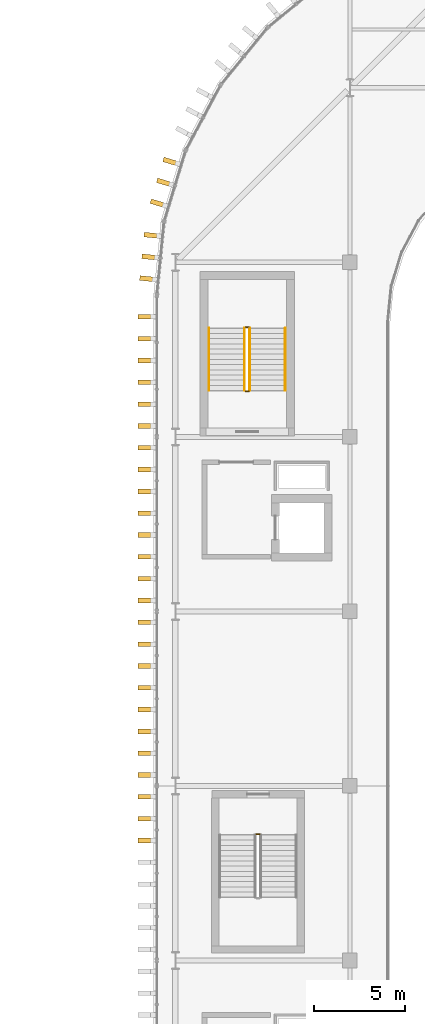
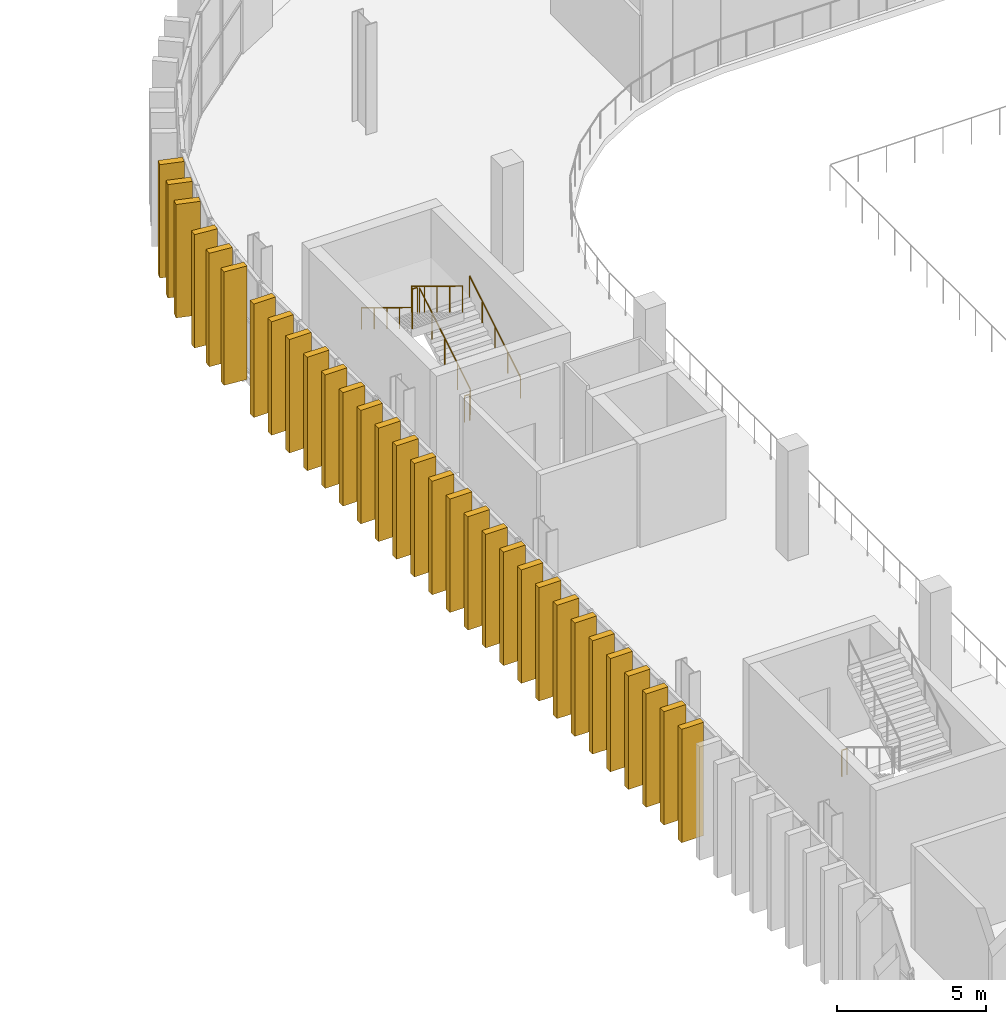
# One storey, part 65 of 75: 31 coverings, 7 railings.
"""IFC4 building model written with IfcOpenShell, lengths in metres."""

from ifc_helpers import new_model, si_unit, direction, frame, origin, origin_2d, place, context, subcontext, project, spatial, rectangle, circle, extrude, material, material_profile, profile_set, type_object, element, save


model = new_model("IFC4")

# Units and contexts
model_context = context("Model", 3, precision=1e-05, world=origin(), true_north=direction((0.0, 1.0)))
body_context = subcontext(model_context, "Body", "Model", "MODEL_VIEW")
ifc_project = project(units=[si_unit("LENGTHUNIT", "METRE"), si_unit("AREAUNIT", "SQUARE_METRE"), si_unit("VOLUMEUNIT", "CUBIC_METRE"), si_unit("PLANEANGLEUNIT", "RADIAN"), si_unit("MASSUNIT", "GRAM", prefix="KILO")], contexts=[model_context])

# Site, building, storey
site_placement = place(None, origin())
site = spatial("IfcSite", under=ifc_project, at=site_placement, CompositionType="ELEMENT")
building_placement = place(site_placement, origin())
building = spatial("IfcBuilding", under=site, at=building_placement, Name="Caelomonte Colonnade Arena", CompositionType="ELEMENT")
storey_placement = place(building_placement, frame((0.0, 0.0, 14.10009765625)))
storey = spatial("IfcBuildingStorey", under=building, at=storey_placement, Name="L03", CompositionType="ELEMENT", Elevation=14.10009765625)

# Coverings
ifc_material_1 = material(Name="Precast travertine cladding", Category="masonry")
ifc_material_profile = material_profile(ifc_material_1, rectangle(XDim=0.260009765625, YDim=0.85009765625, at=origin_2d()), Name="FIN260X850")
ifc_profile_set = profile_set([ifc_material_profile], Name="Precast travertine cladding")
covering_type = type_object("IfcCoveringType", Name="ENV-FN-SHAFT", PredefinedType="CLADDING", material=ifc_profile_set)
for number, where, z_axis, x_axis, name in (
    (1, (57.346435546875, 101.537109375, -0.16015625), (0.0, 0.0, 1.0), (0.290276326364, 0.956942868907, 0.0), "V1 L03 classical travertine vertical fin 165"),
    (2, (56.998046875, 100.388916015625, -0.16015625), (0.0, 0.0, 1.0), (0.290276326364, 0.956942868907, 0.0), "V1 L03 classical travertine vertical fin 166"),
    (3, (56.64990234375, 99.240478515625, -0.16015625), (0.0, 0.0, 1.0), (0.290276326364, 0.956942868907, 0.0), "V1 L03 classical travertine vertical fin 167"),
    (4, (56.30029296875, 97.48388671875, -0.16015625), (0.0, 0.0, 1.0), (0.098015403404, 0.995184897743, 0.0), "V1 L03 classical travertine vertical fin 168"),
    (5, (56.182861328125, 96.289794921875, -0.16015625), (0.0, 0.0, 1.0), (0.098015403404, 0.995184897743, 0.0), "V1 L03 classical travertine vertical fin 169"),
    (6, (56.065185546875, 95.095458984375, -0.16015625), (0.0, 0.0, 1.0), (0.098015403404, 0.995184897743, 0.0), "V1 L03 classical travertine vertical fin 170"),
    (7, (55.97900390625, 93.0, -0.16015625), (0.0, 0.0, 1.0), (0.0, 1.0, 0.0), "V1 L03 classical travertine vertical fin 171"),
    (8, (55.97900390625, 91.800048828125, -0.16015625), (0.0, 0.0, 1.0), (0.0, 1.0, 0.0), "V1 L03 classical travertine vertical fin 172"),
    (9, (55.97900390625, 90.60009765625, -0.16015625), (0.0, 0.0, 1.0), (0.0, 1.0, 0.0), "V1 L03 classical travertine vertical fin 173"),
    (10, (55.97900390625, 89.39990234375, -0.16015625), (0.0, 0.0, 1.0), (0.0, 1.0, 0.0), "V1 L03 classical travertine vertical fin 174"),
    (11, (55.97900390625, 88.199951171875, -0.16015625), (0.0, 0.0, 1.0), (0.0, 1.0, 0.0), "V1 L03 classical travertine vertical fin 175"),
    (12, (55.97900390625, 87.0, -0.16015625), (0.0, 0.0, 1.0), (0.0, 1.0, 0.0), "V1 L03 classical travertine vertical fin 176"),
    (13, (55.97900390625, 85.800048828125, -0.16015625), (0.0, 0.0, 1.0), (0.0, 1.0, 0.0), "V1 L03 classical travertine vertical fin 177"),
    (14, (55.97900390625, 84.60009765625, -0.16015625), (0.0, 0.0, 1.0), (0.0, 1.0, 0.0), "V1 L03 classical travertine vertical fin 178"),
    (15, (55.97900390625, 83.39990234375, -0.16015625), (0.0, 0.0, 1.0), (0.0, 1.0, 0.0), "V1 L03 classical travertine vertical fin 179"),
    (16, (55.97900390625, 82.199951171875, -0.16015625), (0.0, 0.0, 1.0), (0.0, 1.0, 0.0), "V1 L03 classical travertine vertical fin 180"),
    (17, (55.97900390625, 81.0, -0.16015625), (0.0, 0.0, 1.0), (0.0, 1.0, 0.0), "V1 L03 classical travertine vertical fin 181"),
    (18, (55.97900390625, 79.800048828125, -0.16015625), (0.0, 0.0, 1.0), (0.0, 1.0, 0.0), "V1 L03 classical travertine vertical fin 182"),
    (19, (55.97900390625, 78.60009765625, -0.16015625), (0.0, 0.0, 1.0), (0.0, 1.0, 0.0), "V1 L03 classical travertine vertical fin 183"),
    (20, (55.97900390625, 77.39990234375, -0.16015625), (0.0, 0.0, 1.0), (0.0, 1.0, 0.0), "V1 L03 classical travertine vertical fin 184"),
    (21, (55.97900390625, 76.199951171875, -0.16015625), (0.0, 0.0, 1.0), (0.0, 1.0, 0.0), "V1 L03 classical travertine vertical fin 185"),
    (22, (55.97900390625, 75.0, -0.16015625), (0.0, 0.0, 1.0), (0.0, 1.0, 0.0), "V1 L03 classical travertine vertical fin 186"),
    (23, (55.97900390625, 73.800048828125, -0.16015625), (0.0, 0.0, 1.0), (0.0, 1.0, 0.0), "V1 L03 classical travertine vertical fin 187"),
    (24, (55.97900390625, 72.60009765625, -0.16015625), (0.0, 0.0, 1.0), (0.0, 1.0, 0.0), "V1 L03 classical travertine vertical fin 188"),
    (25, (55.97900390625, 71.39990234375, -0.16015625), (0.0, 0.0, 1.0), (0.0, 1.0, 0.0), "V1 L03 classical travertine vertical fin 189"),
    (26, (55.97900390625, 70.199951171875, -0.16015625), (0.0, 0.0, 1.0), (0.0, 1.0, 0.0), "V1 L03 classical travertine vertical fin 190"),
    (27, (55.97900390625, 69.0, -0.16015625), (0.0, 0.0, 1.0), (0.0, 1.0, 0.0), "V1 L03 classical travertine vertical fin 191"),
    (28, (55.97900390625, 67.800048828125, -0.16015625), (0.0, 0.0, 1.0), (0.0, 1.0, 0.0), "V1 L03 classical travertine vertical fin 192"),
    (29, (55.97900390625, 66.60009765625, -0.16015625), (0.0, 0.0, 1.0), (0.0, 1.0, 0.0), "V1 L03 classical travertine vertical fin 193"),
    (30, (55.97900390625, 65.39990234375, -0.16015625), (0.0, 0.0, 1.0), (0.0, 1.0, 0.0), "V1 L03 classical travertine vertical fin 194"),
    (31, (55.97900390625, 64.199951171875, -0.16015625), (0.0, 0.0, 1.0), (0.0, 1.0, 0.0), "V1 L03 classical travertine vertical fin 195"),
):
    element("IfcCovering", number, at=place(storey_placement, frame(where, z_axis=z_axis, x_axis=x_axis)), inside=storey, type_object=covering_type, Name=name, PredefinedType="CLADDING", context=body_context, shape_type="SweptSolid", body=[
        extrude(rectangle(XDim=0.260009765625, YDim=0.85009765625, at=origin_2d()), origin(), (0.0, 0.0, 1.0), 4.66015625),
    ])

# Railings
ifc_material_2 = material(Name="Painted galvanized steel stair guard", Category="steel")
railing_type_1 = type_object("IfcRailingType", Name="INT-RL-GRD", PredefinedType="GUARDRAIL", material=ifc_material_2)
railing_1_placement = place(storey_placement, frame((61.699951171875, 88.949951171875, 0.173095703125)))
element("IfcRailing", 32, at=railing_1_placement, inside=storey, type_object=railing_type_1, Name="L03 ST-04 stair guard 1", PredefinedType="GUARDRAIL", context=body_context, shape_type="SweptSolid", body=[
    extrude(circle(Radius=0.02392578125, at=origin_2d()), frame((0.0, 0.0, 1.076171875), z_axis=(0.0, 0.854745945586, 0.519046595696), x_axis=(-1.0, 0.0, 0.0)), (0.0, 0.0, 1.0), 4.00146484375),
    extrude(circle(Radius=0.02099609375, at=origin_2d()), origin(), (0.0, 0.0, 1.0), 1.048095703125),
    extrude(circle(Radius=0.02099609375, at=origin_2d()), frame((0.0, 0.85498046875, 0.519287109375)), (0.0, 0.0, 1.0), 1.048095703125),
    extrude(circle(Radius=0.02099609375, at=origin_2d()), frame((0.0, 1.7099609375, 1.03857421875)), (0.0, 0.0, 1.0), 1.048095703125),
    extrude(circle(Radius=0.02099609375, at=origin_2d()), frame((0.0, 2.565185546875, 1.5576171875)), (0.0, 0.0, 1.0), 1.048095703125),
    extrude(circle(Radius=0.02099609375, at=origin_2d()), frame((0.0, 3.420166015625, 2.076904296875)), (0.0, 0.0, 1.0), 1.048095703125),
])
railing_2_placement = place(storey_placement, frame((61.64990234375, 92.419921875, 2.25)))
element("IfcRailing", 33, at=railing_2_placement, inside=storey, type_object=railing_type_1, Name="L03 ST-04 stair guard 2", PredefinedType="GUARDRAIL", context=body_context, shape_type="SweptSolid", body=[
    extrude(circle(Radius=0.02392578125, at=origin_2d()), frame((0.0, 0.0, 1.076171875), z_axis=(-1.0, 0.0, 0.0), x_axis=(0.0, -1.0, 0.0)), (0.0, 0.0, 1.0), 0.199951171875),
    extrude(circle(Radius=0.02099609375, at=origin_2d()), origin(), (0.0, 0.0, 1.0), 1.048095703125),
    extrude(circle(Radius=0.02099609375, at=origin_2d()), frame((-0.199951171875, 0.0, 0.0)), (0.0, 0.0, 1.0), 1.048095703125),
])
railing_3_placement = place(storey_placement, frame((61.39990234375, 92.3701171875, 2.423095703125)))
element("IfcRailing", 34, at=railing_3_placement, inside=storey, type_object=railing_type_1, Name="L03 ST-04 stair guard 3", PredefinedType="GUARDRAIL", context=body_context, shape_type="SweptSolid", body=[
    extrude(circle(Radius=0.02392578125, at=origin_2d()), frame((0.0, 0.0, 1.076171875), z_axis=(0.0, -0.854745945586, 0.519046595696), x_axis=(1.0, 0.0, 0.0)), (0.0, 0.0, 1.0), 4.00146484375),
    extrude(circle(Radius=0.02099609375, at=origin_2d()), origin(), (0.0, 0.0, 1.0), 1.048095703125),
    extrude(circle(Radius=0.02099609375, at=origin_2d()), frame((0.0, -0.85498046875, 0.519287109375)), (0.0, 0.0, 1.0), 1.048095703125),
    extrude(circle(Radius=0.02099609375, at=origin_2d()), frame((0.0, -1.7099609375, 1.03857421875)), (0.0, 0.0, 1.0), 1.048095703125),
    extrude(circle(Radius=0.02099609375, at=origin_2d()), frame((0.0, -2.565185546875, 1.5576171875)), (0.0, 0.0, 1.0), 1.048095703125),
    extrude(circle(Radius=0.02099609375, at=origin_2d()), frame((0.0, -3.420166015625, 2.076904296875)), (0.0, 0.0, 1.0), 1.048095703125),
])
railing_4_placement = place(storey_placement, frame((61.64990234375, 88.89990234375, 0.0)))
element("IfcRailing", 35, at=railing_4_placement, inside=storey, type_object=railing_type_1, Name="L03 ST-04 stair guard 4", PredefinedType="GUARDRAIL", context=body_context, shape_type="SweptSolid", body=[
    extrude(circle(Radius=0.02392578125, at=origin_2d()), frame((0.0, 0.0, 1.076171875), z_axis=(-1.0, 0.0, 0.0), x_axis=(0.0, -1.0, 0.0)), (0.0, 0.0, 1.0), 0.199951171875),
    extrude(circle(Radius=0.02099609375, at=origin_2d()), origin(), (0.0, 0.0, 1.0), 1.048095703125),
    extrude(circle(Radius=0.02099609375, at=origin_2d()), frame((-0.199951171875, 0.0, 0.0)), (0.0, 0.0, 1.0), 1.048095703125),
])
railing_5_placement = place(storey_placement, frame((62.050048828125, 64.550048828125, 0.0)))
element("IfcRailing", 36, at=railing_5_placement, inside=storey, type_object=railing_type_1, Name="L03 ST-09 stair guard 4", PredefinedType="GUARDRAIL", context=body_context, shape_type="SweptSolid", body=[
    extrude(circle(Radius=0.02392578125, at=origin_2d()), frame((0.0, 0.0, 1.076171875), z_axis=(1.0, 0.0, 0.0), x_axis=(0.0, 1.0, 0.0)), (0.0, 0.0, 1.0), 0.199951171875),
    extrude(circle(Radius=0.02099609375, at=origin_2d()), origin(), (0.0, 0.0, 1.0), 1.048095703125),
    extrude(circle(Radius=0.02099609375, at=origin_2d()), frame((0.199951171875, 0.0, 0.0)), (0.0, 0.0, 1.0), 1.048095703125),
])
ifc_material_3 = material(Name="Brushed stainless steel stair handrail", Category="steel")
railing_type_2 = type_object("IfcRailingType", Name="INT-RL-HR", PredefinedType="HANDRAIL", material=ifc_material_3)
railing_6_placement = place(storey_placement, frame((63.64990234375, 88.949951171875, 0.173095703125)))
element("IfcRailing", 37, at=railing_6_placement, inside=storey, type_object=railing_type_2, Name="L03 ST-04 stair handrail 1", PredefinedType="HANDRAIL", context=body_context, shape_type="SweptSolid", body=[
    extrude(circle(Radius=0.02392578125, at=origin_2d()), frame((0.0, 0.0, 0.8759765625), z_axis=(0.0, 0.854745945586, 0.519046595696), x_axis=(-1.0, 0.0, 0.0)), (0.0, 0.0, 1.0), 4.00146484375),
    extrude(circle(Radius=0.02099609375, at=origin_2d()), origin(), (0.0, 0.0, 1.0), 0.847900390625),
    extrude(circle(Radius=0.02099609375, at=origin_2d()), frame((0.0, 0.85498046875, 0.519287109375)), (0.0, 0.0, 1.0), 0.847900390625),
    extrude(circle(Radius=0.02099609375, at=origin_2d()), frame((0.0, 1.7099609375, 1.03857421875)), (0.0, 0.0, 1.0), 0.847900390625),
    extrude(circle(Radius=0.02099609375, at=origin_2d()), frame((0.0, 2.565185546875, 1.5576171875)), (0.0, 0.0, 1.0), 0.847900390625),
    extrude(circle(Radius=0.02099609375, at=origin_2d()), frame((0.0, 3.420166015625, 2.076904296875)), (0.0, 0.0, 1.0), 0.847900390625),
])
railing_7_placement = place(storey_placement, frame((59.449951171875, 92.3701171875, 2.423095703125)))
element("IfcRailing", 38, at=railing_7_placement, inside=storey, type_object=railing_type_2, Name="L03 ST-04 stair handrail 2", PredefinedType="HANDRAIL", context=body_context, shape_type="SweptSolid", body=[
    extrude(circle(Radius=0.02392578125, at=origin_2d()), frame((0.0, 0.0, 0.8759765625), z_axis=(0.0, -0.854745945586, 0.519046595696), x_axis=(1.0, 0.0, 0.0)), (0.0, 0.0, 1.0), 4.00146484375),
    extrude(circle(Radius=0.02099609375, at=origin_2d()), origin(), (0.0, 0.0, 1.0), 0.847900390625),
    extrude(circle(Radius=0.02099609375, at=origin_2d()), frame((0.0, -0.85498046875, 0.519287109375)), (0.0, 0.0, 1.0), 0.847900390625),
    extrude(circle(Radius=0.02099609375, at=origin_2d()), frame((0.0, -1.7099609375, 1.03857421875)), (0.0, 0.0, 1.0), 0.847900390625),
    extrude(circle(Radius=0.02099609375, at=origin_2d()), frame((0.0, -2.565185546875, 1.5576171875)), (0.0, 0.0, 1.0), 0.847900390625),
    extrude(circle(Radius=0.02099609375, at=origin_2d()), frame((0.0, -3.420166015625, 2.076904296875)), (0.0, 0.0, 1.0), 0.847900390625),
])

save(model, "model.ifc")
